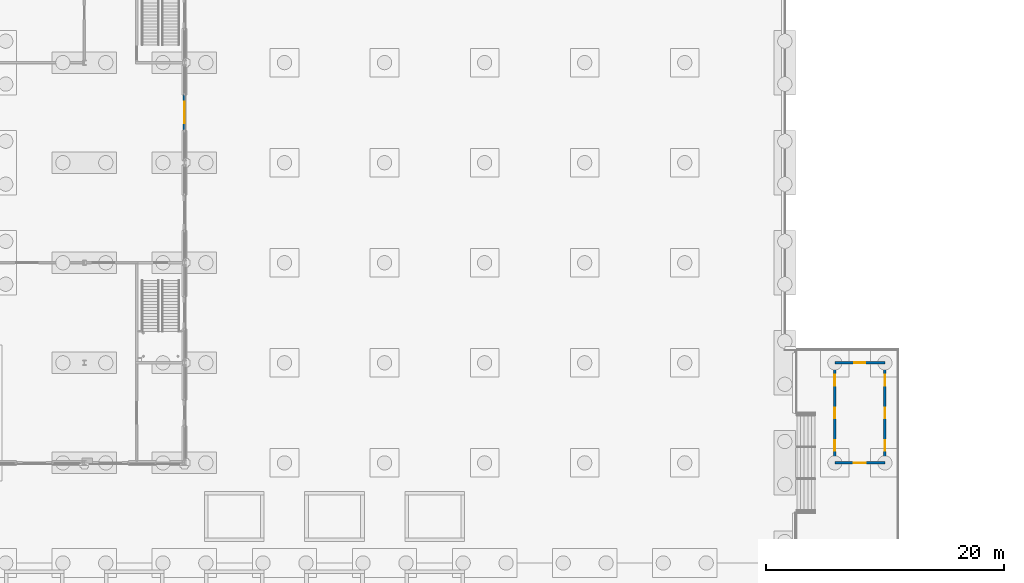
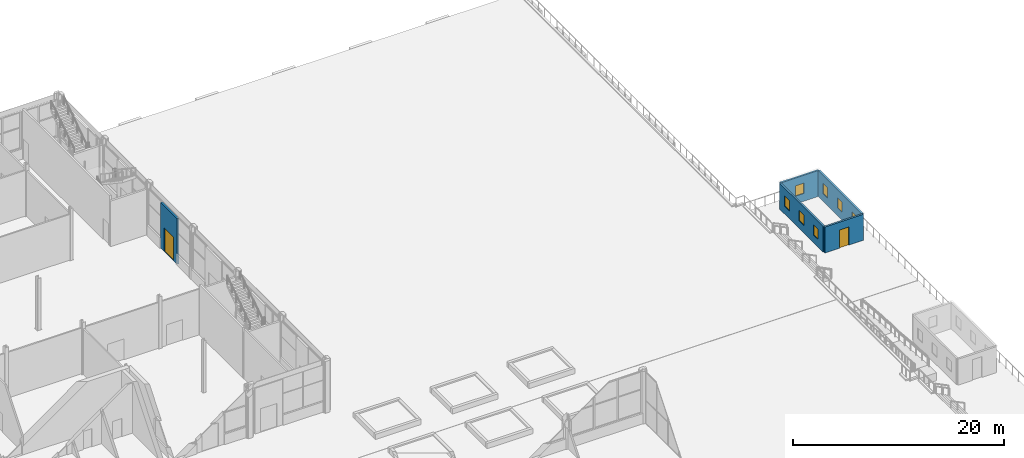
# One storey, part 189 of 212: 7 windows, 5 walls, 2 doors, 9 openings.
"""IFC4 building model written with IfcOpenShell, lengths in metres."""

from ifc_helpers import new_model, si_unit, direction, frame, frame_2d, origin, place, context, subcontext, project, spatial, rectangle, extrude, material, layer, layer_set, type_object, element, fill, save


model = new_model("IFC4")

# Units and contexts
model_context = context("Model", 3, precision=1e-05, world=origin(), true_north=direction((0.0, 1.0)))
body_context = subcontext(model_context, "Body", "Model", "MODEL_VIEW")
ifc_project = project(units=[si_unit("LENGTHUNIT", "METRE"), si_unit("AREAUNIT", "SQUARE_METRE"), si_unit("VOLUMEUNIT", "CUBIC_METRE"), si_unit("PLANEANGLEUNIT", "RADIAN"), si_unit("MASSUNIT", "GRAM", prefix="KILO")], contexts=[model_context])

# Site, building, storey
site_placement = place(None, origin())
site = spatial("IfcSite", under=ifc_project, at=site_placement, CompositionType="ELEMENT")
building_placement = place(site_placement, origin())
building = spatial("IfcBuilding", under=site, at=building_placement, Name="Catenary Quay Ferry Terminal", CompositionType="ELEMENT")
storey_placement = place(building_placement, origin())
storey = spatial("IfcBuildingStorey", under=building, at=storey_placement, Name="L00", CompositionType="ELEMENT", Elevation=0.0)

# Wall, opening, door
ifc_material_1 = material(Name="Masonry and insulation", Category="masonry")
ifc_layer_1 = layer(ifc_material_1, 0.199951171875)
ifc_layer_set_1 = layer_set([ifc_layer_1], Name="EW3")
wall_type_1 = type_object("IfcWallType", Name="EW3", PredefinedType="SOLIDWALL", material=ifc_layer_set_1)
wall_1_placement = place(storey_placement, frame((121.800048828125, 159.60009765625, -0.89990234375), z_axis=(0.0, 0.0, 1.0), x_axis=(1.0, 0.0, 0.0)))
wall_1 = element("IfcWall", 1, at=wall_1_placement, inside=storey, type_object=wall_type_1, Name="Riverside Ticketing Hall wall", PredefinedType="SOLIDWALL", context=body_context, shape_type="SweptSolid", body=[
    extrude(rectangle(XDim=4.199951171875, YDim=0.199951171875, at=frame_2d((2.10009765625, 0.0))), origin(), (0.0, 0.0, 1.0), 3.0),
])
opening_1_placement = place(wall_1_placement, frame((1.60009765625, 0.0, 0.0)))
opening_1 = element("IfcOpeningElement", 2, at=opening_1_placement, cuts=wall_1, Name="Opening D245", PredefinedType="OPENING", context=body_context, shape_type="SweptSolid", body=[
    extrude(rectangle(XDim=1.0, YDim=2.10009765625, at=frame_2d((0.5, 1.050048828125))), frame((0.0, 0.10986328125, 0.0), z_axis=(0.0, -1.0, 0.0), x_axis=(1.0, 0.0, 0.0)), (0.0, 0.0, 1.0), 0.219970703125),
])
ifc_material_2 = material(Name="Steel", Category="steel")
door_type_1 = type_object("IfcDoorType", Name="DX8", OperationType="SINGLE_SWING_LEFT", PredefinedType="DOOR", material=ifc_material_2)
door_1_placement = place(opening_1_placement, frame((1.0, 0.0, 0.0), z_axis=(0.0, 0.0, 1.0), x_axis=(-1.0, 0.0, 0.0)))
door_1 = element("IfcDoor", 3, at=door_1_placement, inside=storey, type_object=door_type_1, Name="Riverside Ticketing Hall entrance", OperationType="SINGLE_SWING_RIGHT", OverallHeight=2.10009765625, OverallWidth=1.0, PredefinedType="DOOR", context=body_context, shape_type="SweptSolid", body=[
    extrude(rectangle(XDim=1.0, YDim=2.10009765625, at=frame_2d((0.5, 1.050048828125))), frame((0.0, 0.02490234375, 0.0), z_axis=(0.0, -1.0, 0.0), x_axis=(1.0, 0.0, 0.0)), (0.0, 0.0, 1.0), 0.050048828125),
])
fill(opening_1, door_1)

# Wall, opening, window
wall_2_placement = place(storey_placement, frame((121.800048828125, 168.0, -0.89990234375), z_axis=(0.0, 0.0, 1.0), x_axis=(1.0, 0.0, 0.0)))
wall_2 = element("IfcWall", 4, at=wall_2_placement, inside=storey, type_object=wall_type_1, Name="Riverside Ticketing Hall wall", PredefinedType="SOLIDWALL", context=body_context, shape_type="SweptSolid", body=[
    extrude(rectangle(XDim=4.199951171875, YDim=0.199951171875, at=frame_2d((2.10009765625, 0.0))), origin(), (0.0, 0.0, 1.0), 3.0),
])
opening_2_placement = place(wall_2_placement, frame((1.64990234375, 0.0, 0.89990234375)))
opening_2 = element("IfcOpeningElement", 5, at=opening_2_placement, cuts=wall_2, Name="Opening W62", PredefinedType="OPENING", context=body_context, shape_type="SweptSolid", body=[
    extrude(rectangle(XDim=0.89990234375, YDim=1.199951171875, at=frame_2d((0.449951171875, 0.60009765625))), frame((0.0, 0.10986328125, 0.0), z_axis=(0.0, -1.0, 0.0), x_axis=(1.0, 0.0, 0.0)), (0.0, 0.0, 1.0), 0.219970703125),
])
ifc_material_3 = material(Name="Aluminium and glass", Category="aluminium")
window_type = type_object("IfcWindowType", Name="WR1", PartitioningType="SINGLE_PANEL", PredefinedType="WINDOW", material=ifc_material_3)
window_1_placement = place(opening_2_placement, origin())
window_1 = element("IfcWindow", 6, at=window_1_placement, inside=storey, type_object=window_type, Name="Riverside Ticketing Hall window", OverallHeight=1.199951171875, OverallWidth=0.89990234375, PartitioningType="SINGLE_PANEL", PredefinedType="WINDOW", context=body_context, shape_type="SweptSolid", body=[
    extrude(rectangle(XDim=0.89990234375, YDim=1.199951171875, at=frame_2d((0.449951171875, 0.60009765625))), frame((0.0, 0.030029296875, 0.0), z_axis=(0.0, -1.0, 0.0), x_axis=(1.0, 0.0, 0.0)), (0.0, 0.0, 1.0), 0.06005859375),
])
fill(opening_2, window_1)

# Wall, openings, windows
wall_3_placement = place(storey_placement, frame((121.800048828125, 159.699951171875, -0.89990234375), z_axis=(0.0, 0.0, 1.0), x_axis=(0.0, 1.0, 0.0)))
wall_3 = element("IfcWall", 7, at=wall_3_placement, inside=storey, type_object=wall_type_1, Name="Riverside Ticketing Hall wall", PredefinedType="SOLIDWALL", context=body_context, shape_type="SweptSolid", body=[
    extrude(rectangle(XDim=8.199951171875, YDim=0.199951171875, at=frame_2d((4.10009765625, 0.0))), origin(), (0.0, 0.0, 1.0), 3.0),
])
opening_3_placement = place(wall_3_placement, frame((0.916748046875, 0.0, 0.89990234375)))
opening_3 = element("IfcOpeningElement", 8, at=opening_3_placement, cuts=wall_3, Name="Opening W66", PredefinedType="OPENING", context=body_context, shape_type="SweptSolid", body=[
    extrude(rectangle(XDim=0.89990234375, YDim=1.199951171875, at=frame_2d((0.449951171875, 0.60009765625))), frame((0.0, 0.10986328125, 0.0), z_axis=(0.0, -1.0, 0.0), x_axis=(1.0, 0.0, 0.0)), (0.0, 0.0, 1.0), 0.219970703125),
])
opening_4_placement = place(wall_3_placement, frame((3.64990234375, 0.0, 0.89990234375)))
opening_4 = element("IfcOpeningElement", 9, at=opening_4_placement, cuts=wall_3, Name="Opening W67", PredefinedType="OPENING", context=body_context, shape_type="SweptSolid", body=[
    extrude(rectangle(XDim=0.89990234375, YDim=1.199951171875, at=frame_2d((0.449951171875, 0.60009765625))), frame((0.0, 0.10986328125, 0.0), z_axis=(0.0, -1.0, 0.0), x_axis=(1.0, 0.0, 0.0)), (0.0, 0.0, 1.0), 0.219970703125),
])
opening_5_placement = place(wall_3_placement, frame((6.38330078125, 0.0, 0.89990234375)))
opening_5 = element("IfcOpeningElement", 10, at=opening_5_placement, cuts=wall_3, Name="Opening W68", PredefinedType="OPENING", context=body_context, shape_type="SweptSolid", body=[
    extrude(rectangle(XDim=0.89990234375, YDim=1.199951171875, at=frame_2d((0.449951171875, 0.60009765625))), frame((0.0, 0.10986328125, 0.0), z_axis=(0.0, -1.0, 0.0), x_axis=(1.0, 0.0, 0.0)), (0.0, 0.0, 1.0), 0.219970703125),
])
window_2_placement = place(opening_3_placement, origin())
window_2 = element("IfcWindow", 11, at=window_2_placement, inside=storey, type_object=window_type, Name="Riverside Ticketing Hall window", OverallHeight=1.199951171875, OverallWidth=0.89990234375, PartitioningType="SINGLE_PANEL", PredefinedType="WINDOW", context=body_context, shape_type="SweptSolid", body=[
    extrude(rectangle(XDim=0.89990234375, YDim=1.199951171875, at=frame_2d((0.449951171875, 0.60009765625))), frame((0.0, 0.030029296875, 0.0), z_axis=(0.0, -1.0, 0.0), x_axis=(1.0, 0.0, 0.0)), (0.0, 0.0, 1.0), 0.06005859375),
])
fill(opening_3, window_2)
window_3_placement = place(opening_4_placement, origin())
window_3 = element("IfcWindow", 12, at=window_3_placement, inside=storey, type_object=window_type, Name="Riverside Ticketing Hall window", OverallHeight=1.199951171875, OverallWidth=0.89990234375, PartitioningType="SINGLE_PANEL", PredefinedType="WINDOW", context=body_context, shape_type="SweptSolid", body=[
    extrude(rectangle(XDim=0.89990234375, YDim=1.199951171875, at=frame_2d((0.449951171875, 0.60009765625))), frame((0.0, 0.030029296875, 0.0), z_axis=(0.0, -1.0, 0.0), x_axis=(1.0, 0.0, 0.0)), (0.0, 0.0, 1.0), 0.06005859375),
])
fill(opening_4, window_3)
window_4_placement = place(opening_5_placement, origin())
window_4 = element("IfcWindow", 13, at=window_4_placement, inside=storey, type_object=window_type, Name="Riverside Ticketing Hall window", OverallHeight=1.199951171875, OverallWidth=0.89990234375, PartitioningType="SINGLE_PANEL", PredefinedType="WINDOW", context=body_context, shape_type="SweptSolid", body=[
    extrude(rectangle(XDim=0.89990234375, YDim=1.199951171875, at=frame_2d((0.449951171875, 0.60009765625))), frame((0.0, 0.030029296875, 0.0), z_axis=(0.0, -1.0, 0.0), x_axis=(1.0, 0.0, 0.0)), (0.0, 0.0, 1.0), 0.06005859375),
])
fill(opening_5, window_4)

wall_4_placement = place(storey_placement, frame((126.0, 159.699951171875, -0.89990234375), z_axis=(0.0, 0.0, 1.0), x_axis=(0.0, 1.0, 0.0)))
wall_4 = element("IfcWall", 14, at=wall_4_placement, inside=storey, type_object=wall_type_1, Name="Riverside Ticketing Hall wall", PredefinedType="SOLIDWALL", context=body_context, shape_type="SweptSolid", body=[
    extrude(rectangle(XDim=8.199951171875, YDim=0.199951171875, at=frame_2d((4.10009765625, 0.0))), origin(), (0.0, 0.0, 1.0), 3.0),
])
opening_6_placement = place(wall_4_placement, frame((0.916748046875, 0.0, 0.89990234375)))
opening_6 = element("IfcOpeningElement", 15, at=opening_6_placement, cuts=wall_4, Name="Opening W63", PredefinedType="OPENING", context=body_context, shape_type="SweptSolid", body=[
    extrude(rectangle(XDim=0.89990234375, YDim=1.199951171875, at=frame_2d((0.449951171875, 0.60009765625))), frame((0.0, 0.10986328125, 0.0), z_axis=(0.0, -1.0, 0.0), x_axis=(1.0, 0.0, 0.0)), (0.0, 0.0, 1.0), 0.219970703125),
])
opening_7_placement = place(wall_4_placement, frame((3.64990234375, 0.0, 0.89990234375)))
opening_7 = element("IfcOpeningElement", 16, at=opening_7_placement, cuts=wall_4, Name="Opening W64", PredefinedType="OPENING", context=body_context, shape_type="SweptSolid", body=[
    extrude(rectangle(XDim=0.89990234375, YDim=1.199951171875, at=frame_2d((0.449951171875, 0.60009765625))), frame((0.0, 0.10986328125, 0.0), z_axis=(0.0, -1.0, 0.0), x_axis=(1.0, 0.0, 0.0)), (0.0, 0.0, 1.0), 0.219970703125),
])
opening_8_placement = place(wall_4_placement, frame((6.38330078125, 0.0, 0.89990234375)))
opening_8 = element("IfcOpeningElement", 17, at=opening_8_placement, cuts=wall_4, Name="Opening W65", PredefinedType="OPENING", context=body_context, shape_type="SweptSolid", body=[
    extrude(rectangle(XDim=0.89990234375, YDim=1.199951171875, at=frame_2d((0.449951171875, 0.60009765625))), frame((0.0, 0.10986328125, 0.0), z_axis=(0.0, -1.0, 0.0), x_axis=(1.0, 0.0, 0.0)), (0.0, 0.0, 1.0), 0.219970703125),
])
window_5_placement = place(opening_6_placement, origin())
window_5 = element("IfcWindow", 18, at=window_5_placement, inside=storey, type_object=window_type, Name="Riverside Ticketing Hall window", OverallHeight=1.199951171875, OverallWidth=0.89990234375, PartitioningType="SINGLE_PANEL", PredefinedType="WINDOW", context=body_context, shape_type="SweptSolid", body=[
    extrude(rectangle(XDim=0.89990234375, YDim=1.199951171875, at=frame_2d((0.449951171875, 0.60009765625))), frame((0.0, 0.030029296875, 0.0), z_axis=(0.0, -1.0, 0.0), x_axis=(1.0, 0.0, 0.0)), (0.0, 0.0, 1.0), 0.06005859375),
])
fill(opening_6, window_5)
window_6_placement = place(opening_7_placement, origin())
window_6 = element("IfcWindow", 19, at=window_6_placement, inside=storey, type_object=window_type, Name="Riverside Ticketing Hall window", OverallHeight=1.199951171875, OverallWidth=0.89990234375, PartitioningType="SINGLE_PANEL", PredefinedType="WINDOW", context=body_context, shape_type="SweptSolid", body=[
    extrude(rectangle(XDim=0.89990234375, YDim=1.199951171875, at=frame_2d((0.449951171875, 0.60009765625))), frame((0.0, 0.030029296875, 0.0), z_axis=(0.0, -1.0, 0.0), x_axis=(1.0, 0.0, 0.0)), (0.0, 0.0, 1.0), 0.06005859375),
])
fill(opening_7, window_6)
window_7_placement = place(opening_8_placement, origin())
window_7 = element("IfcWindow", 20, at=window_7_placement, inside=storey, type_object=window_type, Name="Riverside Ticketing Hall window", OverallHeight=1.199951171875, OverallWidth=0.89990234375, PartitioningType="SINGLE_PANEL", PredefinedType="WINDOW", context=body_context, shape_type="SweptSolid", body=[
    extrude(rectangle(XDim=0.89990234375, YDim=1.199951171875, at=frame_2d((0.449951171875, 0.60009765625))), frame((0.0, 0.030029296875, 0.0), z_axis=(0.0, -1.0, 0.0), x_axis=(1.0, 0.0, 0.0)), (0.0, 0.0, 1.0), 0.06005859375),
])
fill(opening_8, window_7)

# Wall, opening, door
ifc_material_4 = material(Name="Masonry and insulation", Category="masonry")
ifc_layer_2 = layer(ifc_material_4, 0.199951171875)
ifc_layer_set_2 = layer_set([ifc_layer_2], Name="EW6")
wall_type_2 = type_object("IfcWallType", Name="EW6", PredefinedType="SOLIDWALL", material=ifc_layer_set_2)
wall_5_placement = place(storey_placement, frame((67.199951171875, 187.43505859375, 0.0), z_axis=(0.0, 0.0, 1.0), x_axis=(0.0, 1.0, 0.0)))
wall_5 = element("IfcWall", 21, at=wall_5_placement, inside=storey, type_object=wall_type_2, Name="Front wing wall WL43", PredefinedType="SOLIDWALL", context=body_context, shape_type="SweptSolid", body=[
    extrude(rectangle(XDim=3.1298828125, YDim=0.199951171875, at=frame_2d((1.56494140625, 0.0))), origin(), (0.0, 0.0, 1.0), 5.271728515625),
])
opening_9_placement = place(wall_5_placement, frame((0.6650390625, 0.0, 0.0)))
opening_9 = element("IfcOpeningElement", 22, at=opening_9_placement, cuts=wall_5, Name="Opening D17", PredefinedType="OPENING", context=body_context, shape_type="SweptSolid", body=[
    extrude(rectangle(XDim=1.800048828125, YDim=2.699951171875, at=frame_2d((0.89990234375, 1.35009765625))), frame((0.0, 0.10986328125, 0.0), z_axis=(0.0, -1.0, 0.0), x_axis=(1.0, 0.0, 0.0)), (0.0, 0.0, 1.0), 0.219970703125),
])
ifc_material_5 = material(Name="Aluminium and glass", Category="aluminium")
door_type_2 = type_object("IfcDoorType", Name="DXH1800", OperationType="DOUBLE_DOOR_DOUBLE_SWING", PredefinedType="DOOR", material=ifc_material_5)
door_2_placement = place(opening_9_placement, frame((1.800048828125, 0.0, 0.0), z_axis=(0.0, 0.0, 1.0), x_axis=(-1.0, 0.0, 0.0)))
door_2 = element("IfcDoor", 23, at=door_2_placement, inside=storey, type_object=door_type_2, Name="Front wing door D17", OperationType="DOUBLE_DOOR_DOUBLE_SWING", OverallHeight=2.699951171875, OverallWidth=1.800048828125, PredefinedType="DOOR", context=body_context, shape_type="SweptSolid", body=[
    extrude(rectangle(XDim=1.800048828125, YDim=2.699951171875, at=frame_2d((0.89990234375, 1.35009765625))), frame((0.0, 0.02490234375, 0.0), z_axis=(0.0, -1.0, 0.0), x_axis=(1.0, 0.0, 0.0)), (0.0, 0.0, 1.0), 0.050048828125),
])
fill(opening_9, door_2)

save(model, "model.ifc")
